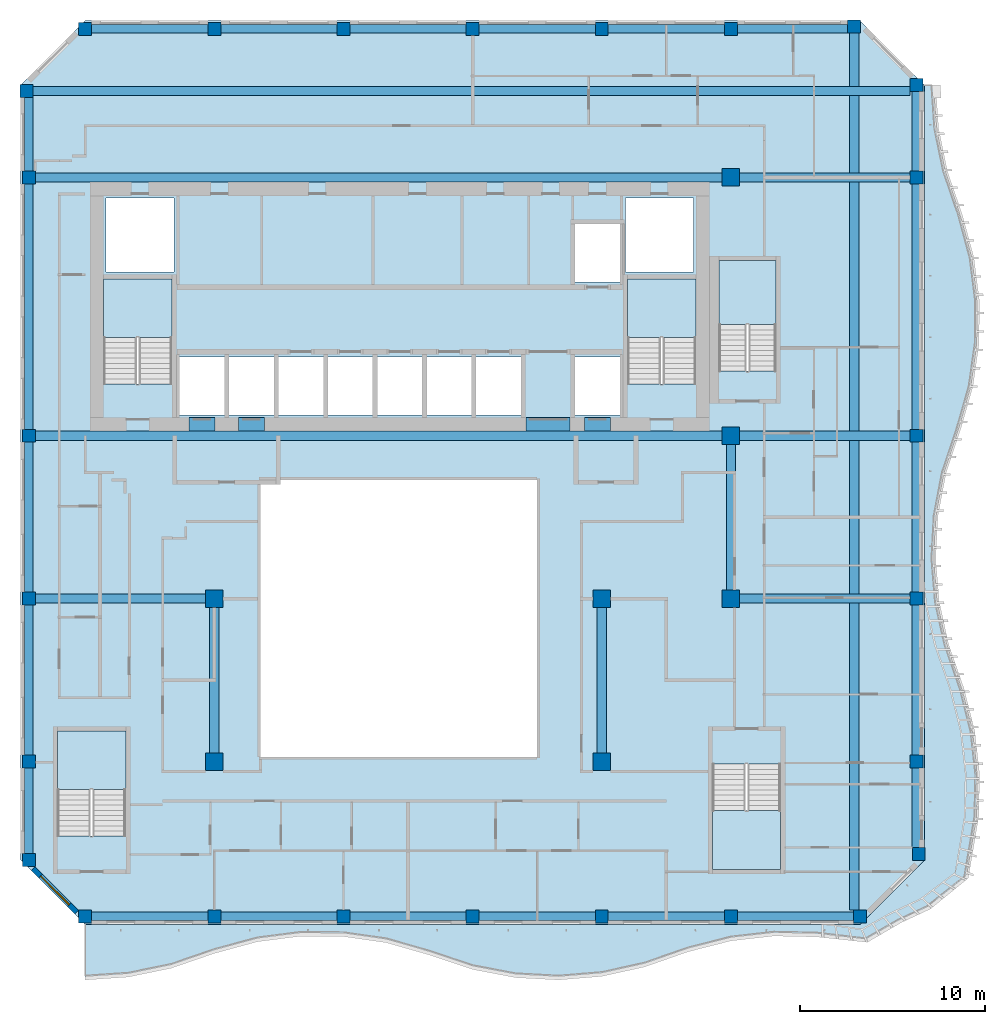
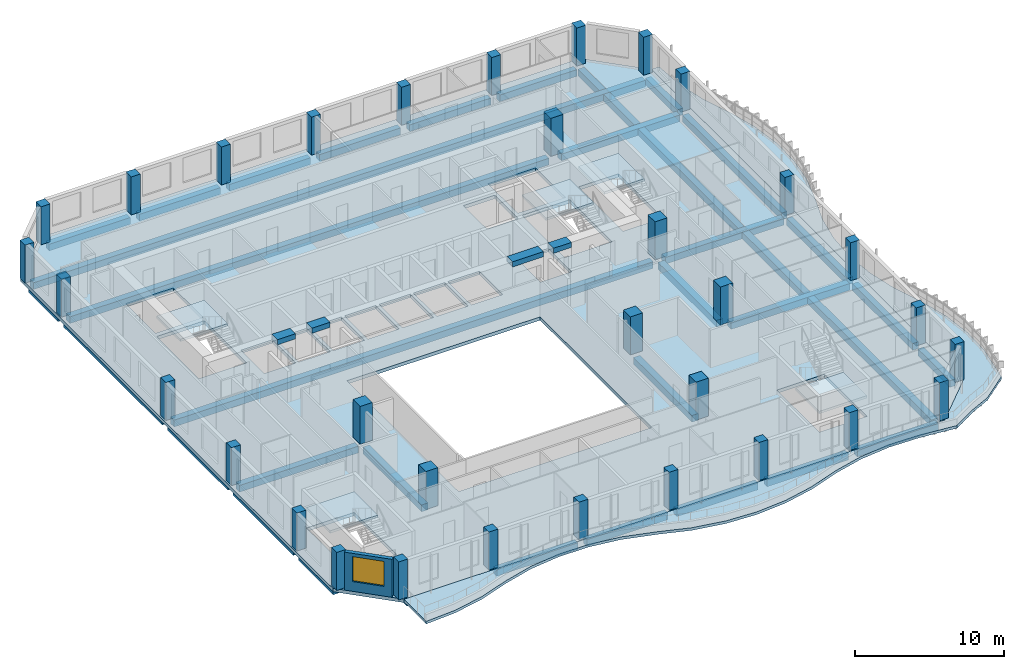
# One storey, part 1 of 19: 37 beams, 33 columns, 7 slabs, 1 wall, 1 window, 1 opening, 5 elements without a shape of their own.
"""IFC4 building model written with IfcOpenShell, lengths in metres."""

from ifc_helpers import new_model, si_unit, direction, frame, frame_2d, origin, origin_2d, place, context, subcontext, project, spatial, polyline, rectangle, outline, extrude, source, transform, mapped, material, layer, layer_set, material_profile, profile_set, type_object, element, fill, aggregate, save


model = new_model("IFC4")

# Units and contexts
model_context = context("Model", 3, precision=1e-05, world=origin(), true_north=direction((0.0, 1.0)))
body_context = subcontext(model_context, "Body", "Model", "MODEL_VIEW")
ifc_project = project(units=[si_unit("LENGTHUNIT", "METRE"), si_unit("AREAUNIT", "SQUARE_METRE"), si_unit("VOLUMEUNIT", "CUBIC_METRE"), si_unit("PLANEANGLEUNIT", "RADIAN"), si_unit("MASSUNIT", "GRAM", prefix="KILO")], contexts=[model_context])

# Site, building, storey
site_placement = place(None, origin())
site = spatial("IfcSite", under=ifc_project, at=site_placement, CompositionType="ELEMENT")
building_placement = place(site_placement, origin())
building = spatial("IfcBuilding", under=site, at=building_placement, Name="Kilnfold Tower and Market Hall", CompositionType="ELEMENT")
storey_placement = place(building_placement, frame((0.0, 0.0, 252.60009765625)))
storey = spatial("IfcBuildingStorey", under=building, at=storey_placement, Name="L61", CompositionType="ELEMENT", Elevation=252.60009765625)

# Columns
ifc_material_1 = material(Name="Concrete C60", Category="concrete")
ifc_material_profile_1 = material_profile(ifc_material_1, rectangle(XDim=0.699951171875, YDim=0.699951171875, at=origin_2d()), Name="RC 700x700")
ifc_profile_set_1 = profile_set([ifc_material_profile_1], Name="Concrete C60")
column_type_1 = type_object("IfcColumnType", Name="COLUMN 700X700 C60", PredefinedType="COLUMN", material=ifc_profile_set_1)
shared_shape_1 = source(origin(), body_context, "Body", "SweptSolid", [
    extrude(rectangle(XDim=0.699951171875, YDim=0.699951171875, at=origin_2d()), origin(), (0.0, 0.0, 1.0), 3.119873046875),
])
for number, where, z_axis, x_axis, name in (
    (1, (-19.181884765625, 26.681884765625, 0.0), (0.0, 0.0, 1.0), (1.0, 0.0, 0.0), "Column C-B7-1G"),
    (2, (-19.050048828125, -15.0, 0.0), (0.0, 0.0, 1.0), (1.0, 0.0, 0.0), "Column C-B7-1B"),
    (3, (-19.050048828125, -9.666748046875, 0.0), (0.0, 0.0, 1.0), (1.0, 0.0, 0.0), "Column C-B7-1C"),
    (4, (-19.050048828125, -0.833251953125, 0.0), (0.0, 0.0, 1.0), (1.0, 0.0, 0.0), "Column C-B7-1D"),
    (5, (-19.050048828125, 8.0, 0.0), (0.0, 0.0, 1.0), (1.0, 0.0, 0.0), "Column C-B7-1E"),
    (6, (-19.050048828125, 22.0, 0.0), (0.0, 0.0, 1.0), (1.0, 0.0, 0.0), "Column C-B7-1F"),
    (7, (-16.0, -18.050048828125, 0.0), (0.0, 0.0, 1.0), (1.0, 0.0, 0.0), "Column C-B7-2A"),
    (8, (-16.0, 30.050048828125, 0.0), (0.0, 0.0, 1.0), (1.0, 0.0, 0.0), "Column C-B7-2H"),
    (9, (-9.0, -18.050048828125, 0.0), (0.0, 0.0, 1.0), (1.0, 0.0, 0.0), "Column C-B7-3A"),
    (10, (-9.0, 30.050048828125, 0.0), (0.0, 0.0, 1.0), (1.0, 0.0, 0.0), "Column C-B7-3H"),
    (11, (-2.0, -18.050048828125, 0.0), (0.0, 0.0, 1.0), (1.0, 0.0, 0.0), "Column C-B7-4A"),
    (12, (-2.0, 30.050048828125, 0.0), (0.0, 0.0, 1.0), (1.0, 0.0, 0.0), "Column C-B7-4H"),
    (13, (5.0, -18.050048828125, 0.0), (0.0, 0.0, 1.0), (1.0, 0.0, 0.0), "Column C-B7-5A"),
    (14, (5.0, 30.050048828125, 0.0), (0.0, 0.0, 1.0), (1.0, 0.0, 0.0), "Column C-B7-5H"),
    (15, (12.0, -18.050048828125, 0.0), (0.0, 0.0, 1.0), (1.0, 0.0, 0.0), "Column C-B7-6A"),
    (16, (12.0, 30.050048828125, 0.0), (0.0, 0.0, 1.0), (1.0, 0.0, 0.0), "Column C-B7-6H"),
    (17, (19.0, -18.050048828125, 0.0), (0.0, 0.0, 1.0), (1.0, 0.0, 0.0), "Column C-B7-7A"),
    (18, (19.0, 30.050048828125, 0.0), (0.0, 0.0, 1.0), (1.0, 0.0, 0.0), "Column C-B7-7H"),
    (19, (25.681884765625, 30.181884765625, 0.0), (0.0, 0.0, 1.0), (1.0, 0.0, 0.0), "Column C-B7-8H"),
    (20, (26.0, -18.050048828125, 0.0), (0.0, 0.0, 1.0), (1.0, 0.0, 0.0), "Column C-B7-8A"),
    (21, (29.050048828125, -9.666748046875, 0.0), (0.0, 0.0, 1.0), (1.0, 0.0, 0.0), "Column C-B7-9C"),
    (22, (29.050048828125, -0.833251953125, 0.0), (0.0, 0.0, 1.0), (1.0, 0.0, 0.0), "Column C-B7-9D"),
    (23, (29.050048828125, 8.0, 0.0), (0.0, 0.0, 1.0), (1.0, 0.0, 0.0), "Column C-B7-9E"),
    (24, (29.050048828125, 22.0, 0.0), (0.0, 0.0, 1.0), (1.0, 0.0, 0.0), "Column C-B7-9F"),
    (25, (29.050048828125, 27.0, 0.0), (0.0, 0.0, 1.0), (1.0, 0.0, 0.0), "Column C-B7-9G"),
    (26, (29.181884765625, -14.681884765625, 0.0), (0.0, 0.0, 1.0), (1.0, 0.0, 0.0), "Column C-B7-9B"),
):
    element("IfcColumn", number, at=place(storey_placement, frame(where, z_axis=z_axis, x_axis=x_axis)), inside=storey, type_object=column_type_1, Name=name, PredefinedType="COLUMN", context=body_context, shape_type="MappedRepresentation", body=[
        mapped(shared_shape_1, transform((0.0, 0.0, 0.0))),
    ])
ifc_material_2 = material(Name="Concrete C60", Category="concrete")
ifc_material_profile_2 = material_profile(ifc_material_2, rectangle(XDim=0.949951171875, YDim=0.949951171875, at=origin_2d()), Name="RC 950x950")
ifc_profile_set_2 = profile_set([ifc_material_profile_2], Name="Concrete C60")
column_type_2 = type_object("IfcColumnType", Name="COLUMN 950X950 C60", PredefinedType="COLUMN", material=ifc_profile_set_2)
shared_shape_2 = source(origin(), body_context, "Body", "SweptSolid", [
    extrude(rectangle(XDim=0.949951171875, YDim=0.949951171875, at=origin_2d()), origin(), (0.0, 0.0, 1.0), 3.119873046875),
])
for number, where, z_axis, x_axis, name in (
    (27, (-9.0, -9.666748046875, 0.0), (0.0, 0.0, 1.0), (1.0, 0.0, 0.0), "Column C-B7-3C"),
    (28, (-9.0, -0.833251953125, 0.0), (0.0, 0.0, 1.0), (1.0, 0.0, 0.0), "Column C-B7-3D"),
    (29, (12.0, -9.666748046875, 0.0), (0.0, 0.0, 1.0), (1.0, 0.0, 0.0), "Column C-B7-6C"),
    (30, (12.0, -0.833251953125, 0.0), (0.0, 0.0, 1.0), (1.0, 0.0, 0.0), "Column C-B7-6D"),
    (31, (19.0, -0.833251953125, 0.0), (0.0, 0.0, 1.0), (1.0, 0.0, 0.0), "Column C-B7-7D"),
    (32, (19.0, 8.0, 0.0), (0.0, 0.0, 1.0), (1.0, 0.0, 0.0), "Column C-B7-7E"),
    (33, (19.0, 22.0, 0.0), (0.0, 0.0, 1.0), (1.0, 0.0, 0.0), "Column C-B7-7F"),
):
    element("IfcColumn", number, at=place(storey_placement, frame(where, z_axis=z_axis, x_axis=x_axis)), inside=storey, type_object=column_type_2, Name=name, PredefinedType="COLUMN", context=body_context, shape_type="MappedRepresentation", body=[
        mapped(shared_shape_2, transform((0.0, 0.0, 0.0))),
    ])

# Beams
ifc_material_3 = material(Name="Concrete C60", Category="concrete")
ifc_material_profile_3 = material_profile(ifc_material_3, rectangle(XDim=0.75, YDim=0.419921875, at=origin_2d()), Name="RC 750x420")
ifc_profile_set_3 = profile_set([ifc_material_profile_3], Name="Concrete C60")
beam_type_1 = type_object("IfcBeamType", Name="COUPLING BEAM 750X420 C60", PredefinedType="BEAM", material=ifc_profile_set_3)
shared_shape_3 = source(origin(), body_context, "Body", "SweptSolid", [
    extrude(rectangle(XDim=0.75, YDim=0.419921875, at=origin_2d()), origin(), (0.0, 0.0, 1.0), 1.400146484375),
])
beam_1_placement = place(storey_placement, frame((-10.3701171875, 8.625, 2.909912109375), z_axis=(1.0, 0.0, 0.0), x_axis=(0.0, 1.0, 0.0)))
element("IfcBeam", 34, at=beam_1_placement, inside=storey, type_object=beam_type_1, Name="Coupling beam CB420-60-CORE.34", PredefinedType="BEAM", context=body_context, shape_type="MappedRepresentation", body=[
    mapped(shared_shape_3, transform((0.0, 0.0, 0.0))),
])
shared_shape_4 = source(origin(), body_context, "Body", "SweptSolid", [
    extrude(rectangle(XDim=0.75, YDim=0.419921875, at=origin_2d()), origin(), (0.0, 0.0, 1.0), 1.39990234375),
])
for number, where, z_axis, x_axis, name in (
    (35, (-7.68994140625, 8.625, 2.909912109375), (1.0, 0.0, 0.0), (0.0, 1.0, 0.0), "Coupling beam CB420-60-CORE.35"),
    (36, (11.070068359375, 8.625, 2.909912109375), (1.0, 0.0, 0.0), (0.0, 1.0, 0.0), "Coupling beam CB420-60-CORE.37"),
):
    element("IfcBeam", number, at=place(storey_placement, frame(where, z_axis=z_axis, x_axis=x_axis)), inside=storey, type_object=beam_type_1, Name=name, PredefinedType="BEAM", context=body_context, shape_type="MappedRepresentation", body=[
        mapped(shared_shape_4, transform((0.0, 0.0, 0.0))),
    ])
shared_shape_5 = source(origin(), body_context, "Body", "SweptSolid", [
    extrude(rectangle(XDim=0.75, YDim=0.419921875, at=origin_2d()), origin(), (0.0, 0.0, 1.0), 2.400146484375),
])
beam_2_placement = place(storey_placement, frame((7.889892578125, 8.625, 2.909912109375), z_axis=(1.0, 0.0, 0.0), x_axis=(0.0, 1.0, 0.0)))
element("IfcBeam", 37, at=beam_2_placement, inside=storey, type_object=beam_type_1, Name="Coupling beam CB420-60-CORE.36", PredefinedType="BEAM", context=body_context, shape_type="MappedRepresentation", body=[
    mapped(shared_shape_5, transform((0.0, 0.0, 0.0))),
])
ifc_material_4 = material(Name="Concrete C45", Category="concrete")
ifc_material_profile_4 = material_profile(ifc_material_4, rectangle(XDim=0.449951171875, YDim=0.550048828125, at=origin_2d()), Name="RC 450x550")
ifc_profile_set_4 = profile_set([ifc_material_profile_4], Name="Concrete C45")
beam_type_2 = type_object("IfcBeamType", Name="EDGE BEAM 450X550 C45", PredefinedType="BEAM", material=ifc_profile_set_4)
shared_shape_6 = source(origin(), body_context, "Body", "SweptSolid", [
    extrude(rectangle(XDim=0.449951171875, YDim=0.550048828125, at=origin_2d()), origin(), (0.0, 0.0, 1.0), 13.2998046875),
])
for number, where, z_axis, x_axis, name in (
    (38, (-19.050048828125, 8.35009765625, -0.55517578125), (0.0, 1.0, 0.0), (-1.0, 0.0, 0.0), "Beam EB550-B7.50"),
    (39, (29.050048828125, 8.35009765625, -0.55517578125), (0.0, 1.0, 0.0), (-1.0, 0.0, 0.0), "Beam EB550-B7.58"),
):
    element("IfcBeam", number, at=place(storey_placement, frame(where, z_axis=z_axis, x_axis=x_axis)), inside=storey, type_object=beam_type_2, Name=name, PredefinedType="BEAM", context=body_context, shape_type="MappedRepresentation", body=[
        mapped(shared_shape_6, transform((0.0, 0.0, 0.0))),
    ])
shared_shape_7 = source(origin(), body_context, "Body", "SweptSolid", [
    extrude(rectangle(XDim=0.449951171875, YDim=0.550048828125, at=origin_2d()), origin(), (0.0, 0.0, 1.0), 6.2998046875),
])
for number, where, z_axis, x_axis, name in (
    (40, (-15.64990234375, -18.050048828125, -0.55517578125), (1.0, 0.0, 0.0), (0.0, 1.0, 0.0), "Beam EB550-B7.59"),
    (41, (-8.64990234375, -18.050048828125, -0.55517578125), (1.0, 0.0, 0.0), (0.0, 1.0, 0.0), "Beam EB550-B7.60"),
    (42, (-1.64990234375, -18.050048828125, -0.55517578125), (1.0, 0.0, 0.0), (0.0, 1.0, 0.0), "Beam EB550-B7.61"),
    (43, (5.35009765625, -18.050048828125, -0.55517578125), (1.0, 0.0, 0.0), (0.0, 1.0, 0.0), "Beam EB550-B7.62"),
    (44, (12.35009765625, -18.050048828125, -0.55517578125), (1.0, 0.0, 0.0), (0.0, 1.0, 0.0), "Beam EB550-B7.63"),
    (45, (19.35009765625, -18.050048828125, -0.55517578125), (1.0, 0.0, 0.0), (0.0, 1.0, 0.0), "Beam EB550-B7.64"),
    (46, (-15.64990234375, 30.050048828125, -0.55517578125), (1.0, 0.0, 0.0), (0.0, 1.0, 0.0), "Beam EB550-B7.72"),
    (47, (-8.64990234375, 30.050048828125, -0.55517578125), (1.0, 0.0, 0.0), (0.0, 1.0, 0.0), "Beam EB550-B7.73"),
    (48, (-1.64990234375, 30.050048828125, -0.55517578125), (1.0, 0.0, 0.0), (0.0, 1.0, 0.0), "Beam EB550-B7.74"),
    (49, (5.35009765625, 30.050048828125, -0.55517578125), (1.0, 0.0, 0.0), (0.0, 1.0, 0.0), "Beam EB550-B7.75"),
    (50, (12.35009765625, 30.050048828125, -0.55517578125), (1.0, 0.0, 0.0), (0.0, 1.0, 0.0), "Beam EB550-B7.76"),
):
    element("IfcBeam", number, at=place(storey_placement, frame(where, z_axis=z_axis, x_axis=x_axis)), inside=storey, type_object=beam_type_2, Name=name, PredefinedType="BEAM", context=body_context, shape_type="MappedRepresentation", body=[
        mapped(shared_shape_7, transform((0.0, 0.0, 0.0))),
    ])
ifc_material_5 = material(Name="Concrete C45", Category="concrete")
ifc_material_profile_5 = material_profile(ifc_material_5, rectangle(XDim=0.5, YDim=0.550048828125, at=origin_2d()), Name="RC 500x550")
ifc_profile_set_5 = profile_set([ifc_material_profile_5], Name="Concrete C45")
beam_type_3 = type_object("IfcBeamType", Name="BEAM 500X550 C45", PredefinedType="BEAM", material=ifc_profile_set_5)
shared_shape_8 = source(origin(), body_context, "Body", "SweptSolid", [
    extrude(rectangle(XDim=0.5, YDim=0.550048828125, at=origin_2d()), origin(), (0.0, 0.0, 1.0), 9.224853515625),
])
for number, where, z_axis, x_axis, name in (
    (51, (-18.699951171875, -0.830078125, -0.55517578125), (1.0, 0.0, 0.0), (0.0, 1.0, 0.0), "Beam BB550-B7.65"),
    (52, (19.47509765625, -0.830078125, -0.55517578125), (1.0, 0.0, 0.0), (0.0, 1.0, 0.0), "Beam BB550-B7.66"),
    (53, (19.47509765625, 8.0, -0.55517578125), (1.0, 0.0, 0.0), (0.0, 1.0, 0.0), "Beam BB550-B7.68"),
    (54, (19.47509765625, 22.0, -0.55517578125), (1.0, 0.0, 0.0), (0.0, 1.0, 0.0), "Beam BB550-B7.70"),
):
    element("IfcBeam", number, at=place(storey_placement, frame(where, z_axis=z_axis, x_axis=x_axis)), inside=storey, type_object=beam_type_3, Name=name, PredefinedType="BEAM", context=body_context, shape_type="MappedRepresentation", body=[
        mapped(shared_shape_8, transform((0.0, 0.0, 0.0))),
    ])
shared_shape_9 = source(origin(), body_context, "Body", "SweptSolid", [
    extrude(rectangle(XDim=0.5, YDim=0.550048828125, at=origin_2d()), origin(), (0.0, 0.0, 1.0), 37.224853515625),
])
for number, where, z_axis, x_axis, name in (
    (55, (-18.699951171875, 8.0, -0.55517578125), (1.0, 0.0, 0.0), (0.0, 1.0, 0.0), "Beam BB550-B7.67"),
    (56, (-18.699951171875, 22.0, -0.55517578125), (1.0, 0.0, 0.0), (0.0, 1.0, 0.0), "Beam BB550-B7.69"),
):
    element("IfcBeam", number, at=place(storey_placement, frame(where, z_axis=z_axis, x_axis=x_axis)), inside=storey, type_object=beam_type_3, Name=name, PredefinedType="BEAM", context=body_context, shape_type="MappedRepresentation", body=[
        mapped(shared_shape_9, transform((0.0, 0.0, 0.0))),
    ])
shared_shape_10 = source(origin(), body_context, "Body", "SweptSolid", [
    extrude(rectangle(XDim=0.5, YDim=0.550048828125, at=origin_2d()), origin(), (0.0, 0.0, 1.0), 47.53173828125),
])
for number, where, z_axis, x_axis, name in (
    (57, (-18.831787109375, 26.679931640625, -0.55517578125), (1.0, 0.0, 0.0), (0.0, 1.0, 0.0), "Beam BB550-B7.71"),
    (58, (25.679931640625, -17.699951171875, -0.55517578125), (0.0, 1.0, 0.0), (-1.0, 0.0, 0.0), "Beam BB550-B7.85"),
):
    element("IfcBeam", number, at=place(storey_placement, frame(where, z_axis=z_axis, x_axis=x_axis)), inside=storey, type_object=beam_type_3, Name=name, PredefinedType="BEAM", context=body_context, shape_type="MappedRepresentation", body=[
        mapped(shared_shape_10, transform((0.0, 0.0, 0.0))),
    ])
shared_shape_11 = source(origin(), body_context, "Body", "SweptSolid", [
    extrude(rectangle(XDim=0.449951171875, YDim=0.550048828125, at=origin_2d()), origin(), (0.0, 0.0, 1.0), 5.981689453125),
])
beam_3_placement = place(storey_placement, frame((19.35009765625, 30.050048828125, -0.55517578125), z_axis=(1.0, 0.0, 0.0), x_axis=(0.0, 1.0, 0.0)))
element("IfcBeam", 59, at=beam_3_placement, inside=storey, type_object=beam_type_2, Name="Beam EB550-B7.77", PredefinedType="BEAM", context=body_context, shape_type="MappedRepresentation", body=[
    mapped(shared_shape_11, transform((0.0, 0.0, 0.0))),
])
shared_shape_12 = source(origin(), body_context, "Body", "SweptSolid", [
    extrude(rectangle(XDim=0.449951171875, YDim=0.550048828125, at=origin_2d()), origin(), (0.0, 0.0, 1.0), 4.63330078125),
])
beam_4_placement = place(storey_placement, frame((-19.050048828125, -14.64990234375, -0.55517578125), z_axis=(0.0, 1.0, 0.0), x_axis=(-1.0, 0.0, 0.0)))
element("IfcBeam", 60, at=beam_4_placement, inside=storey, type_object=beam_type_2, Name="Beam EB550-B7.78", PredefinedType="BEAM", context=body_context, shape_type="MappedRepresentation", body=[
    mapped(shared_shape_12, transform((0.0, 0.0, 0.0))),
])
shared_shape_13 = source(origin(), body_context, "Body", "SweptSolid", [
    extrude(rectangle(XDim=0.449951171875, YDim=0.550048828125, at=origin_2d()), origin(), (0.0, 0.0, 1.0), 8.13330078125),
])
for number, where, z_axis, x_axis, name in (
    (61, (-19.050048828125, -9.316650390625, -0.55517578125), (0.0, 1.0, 0.0), (-1.0, 0.0, 0.0), "Beam EB550-B7.79"),
    (62, (-19.050048828125, -0.4833984375, -0.55517578125), (0.0, 1.0, 0.0), (-1.0, 0.0, 0.0), "Beam EB550-B7.80"),
    (63, (29.050048828125, -9.316650390625, -0.55517578125), (0.0, 1.0, 0.0), (-1.0, 0.0, 0.0), "Beam EB550-B7.87"),
    (64, (29.050048828125, -0.4833984375, -0.55517578125), (0.0, 1.0, 0.0), (-1.0, 0.0, 0.0), "Beam EB550-B7.88"),
):
    element("IfcBeam", number, at=place(storey_placement, frame(where, z_axis=z_axis, x_axis=x_axis)), inside=storey, type_object=beam_type_2, Name=name, PredefinedType="BEAM", context=body_context, shape_type="MappedRepresentation", body=[
        mapped(shared_shape_13, transform((0.0, 0.0, 0.0))),
    ])
shared_shape_14 = source(origin(), body_context, "Body", "SweptSolid", [
    extrude(rectangle(XDim=0.449951171875, YDim=0.550048828125, at=origin_2d()), origin(), (0.0, 0.0, 1.0), 3.981689453125),
])
beam_5_placement = place(storey_placement, frame((-19.050048828125, 22.35009765625, -0.55517578125), z_axis=(0.0, 1.0, 0.0), x_axis=(-1.0, 0.0, 0.0)))
element("IfcBeam", 65, at=beam_5_placement, inside=storey, type_object=beam_type_2, Name="Beam EB550-B7.81", PredefinedType="BEAM", context=body_context, shape_type="MappedRepresentation", body=[
    mapped(shared_shape_14, transform((0.0, 0.0, 0.0))),
])
shared_shape_15 = source(origin(), body_context, "Body", "SweptSolid", [
    extrude(rectangle(XDim=0.5, YDim=0.550048828125, at=origin_2d()), origin(), (0.0, 0.0, 1.0), 7.88330078125),
])
for number, where, z_axis, x_axis, name in (
    (66, (-9.0, -9.191650390625, -0.55517578125), (0.0, 1.0, 0.0), (-1.0, 0.0, 0.0), "Beam BB550-B7.82"),
    (67, (12.0, -9.191650390625, -0.55517578125), (0.0, 1.0, 0.0), (-1.0, 0.0, 0.0), "Beam BB550-B7.83"),
    (68, (19.0, -0.3583984375, -0.55517578125), (0.0, 1.0, 0.0), (-1.0, 0.0, 0.0), "Beam BB550-B7.84"),
):
    element("IfcBeam", number, at=place(storey_placement, frame(where, z_axis=z_axis, x_axis=x_axis)), inside=storey, type_object=beam_type_3, Name=name, PredefinedType="BEAM", context=body_context, shape_type="MappedRepresentation", body=[
        mapped(shared_shape_15, transform((0.0, 0.0, 0.0))),
    ])
shared_shape_16 = source(origin(), body_context, "Body", "SweptSolid", [
    extrude(rectangle(XDim=0.449951171875, YDim=0.550048828125, at=origin_2d()), origin(), (0.0, 0.0, 1.0), 4.315185546875),
])
beam_6_placement = place(storey_placement, frame((29.050048828125, -14.331787109375, -0.55517578125), z_axis=(0.0, 1.0, 0.0), x_axis=(-1.0, 0.0, 0.0)))
element("IfcBeam", 69, at=beam_6_placement, inside=storey, type_object=beam_type_2, Name="Beam EB550-B7.86", PredefinedType="BEAM", context=body_context, shape_type="MappedRepresentation", body=[
    mapped(shared_shape_16, transform((0.0, 0.0, 0.0))),
])
shared_shape_17 = source(origin(), body_context, "Body", "SweptSolid", [
    extrude(rectangle(XDim=0.449951171875, YDim=0.550048828125, at=origin_2d()), origin(), (0.0, 0.0, 1.0), 4.2998046875),
])
beam_7_placement = place(storey_placement, frame((29.050048828125, 22.35009765625, -0.55517578125), z_axis=(0.0, 1.0, 0.0), x_axis=(-1.0, 0.0, 0.0)))
element("IfcBeam", 70, at=beam_7_placement, inside=storey, type_object=beam_type_2, Name="Beam EB550-B7.89", PredefinedType="BEAM", context=body_context, shape_type="MappedRepresentation", body=[
    mapped(shared_shape_17, transform((0.0, 0.0, 0.0))),
])

# Slabs
ifc_material_6 = material(Name="Concrete C45", Category="concrete")
ifc_layer_1 = layer(ifc_material_6, 0.280029296875)
ifc_layer_set_1 = layer_set([ifc_layer_1], Name="Concrete C45")
slab_type_1 = type_object("IfcSlabType", Name="FLOOR SLAB 280", PredefinedType="FLOOR", material=ifc_layer_set_1)
shared_shape_18 = source(origin(), body_context, "Body", "SweptSolid", [
    extrude(outline(polyline([(-16.0, -18.5), (26.0, -18.5), (29.5, -15.0), (29.5, 27.0), (26.0, 30.5), (-16.0, 30.5), (-19.5, 27.0), (-19.5, -15.0), (-16.0, -18.5)]), holes=[polyline([(-13.800537109375, -13.699462890625), (-17.49951171875, -13.699462890625), (-17.49951171875, -8.00048828125), (-13.800537109375, -8.00048828125), (-13.800537109375, -13.699462890625)]), polyline([(-11.300537109375, 10.800537109375), (-14.99951171875, 10.800537109375), (-14.99951171875, 16.49951171875), (-11.300537109375, 16.49951171875), (-11.300537109375, 10.800537109375)]), polyline([(-11.175048828125, 16.875), (-14.875, 16.875), (-14.875, 20.875), (-11.175048828125, 20.875), (-11.175048828125, 16.875)]), polyline([(-8.455078125, 9.125), (-10.885009765625, 9.125), (-10.885009765625, 12.27490234375), (-8.455078125, 12.27490234375), (-8.455078125, 9.125)]), polyline([(-5.77490234375, 9.125), (-8.205078125, 9.125), (-8.205078125, 12.27490234375), (-5.77490234375, 12.27490234375), (-5.77490234375, 9.125)]), polyline([(8.5, -9.39990234375), (-6.5, -9.39990234375), (-6.5, 5.60009765625), (8.5, 5.60009765625), (8.5, -9.39990234375)]), polyline([(-3.094970703125, 9.125), (-5.52490234375, 9.125), (-5.52490234375, 12.27490234375), (-3.094970703125, 12.27490234375), (-3.094970703125, 9.125)]), polyline([(-0.4150390625, 9.125), (-2.844970703125, 9.125), (-2.844970703125, 12.27490234375), (-0.4150390625, 12.27490234375), (-0.4150390625, 9.125)]), polyline([(2.264892578125, 9.125), (-0.1650390625, 9.125), (-0.1650390625, 12.27490234375), (2.264892578125, 12.27490234375), (2.264892578125, 9.125)]), polyline([(4.945068359375, 9.125), (2.514892578125, 9.125), (2.514892578125, 12.27490234375), (4.945068359375, 12.27490234375), (4.945068359375, 9.125)]), polyline([(7.625, 9.125), (5.195068359375, 9.125), (5.195068359375, 12.27490234375), (7.625, 12.27490234375), (7.625, 9.125)]), polyline([(12.985107421875, 9.125), (10.554931640625, 9.125), (10.554931640625, 12.27490234375), (12.985107421875, 12.27490234375), (12.985107421875, 9.125)]), polyline([(10.554931640625, 16.324951171875), (10.554931640625, 19.47509765625), (12.985107421875, 19.47509765625), (12.985107421875, 16.324951171875), (10.554931640625, 16.324951171875)]), polyline([(13.27490234375, 16.875), (13.27490234375, 20.875), (16.97509765625, 20.875), (16.97509765625, 16.875), (13.27490234375, 16.875)]), polyline([(17.099609375, 10.800537109375), (13.400390625, 10.800537109375), (13.400390625, 16.49951171875), (17.099609375, 16.49951171875), (17.099609375, 10.800537109375)]), polyline([(18.00048828125, -9.800537109375), (21.699462890625, -9.800537109375), (21.699462890625, -15.49951171875), (18.00048828125, -15.49951171875), (18.00048828125, -9.800537109375)]), polyline([(21.449462890625, 11.50048828125), (18.3505859375, 11.50048828125), (18.3505859375, 17.49951171875), (21.449462890625, 17.49951171875), (21.449462890625, 11.50048828125)])]), origin(), (0.0, 0.0, 1.0), 0.280029296875),
])
slab_1_placement = place(storey_placement, frame((0.0, 0.0, -0.280029296875)))
element("IfcSlab", 71, at=slab_1_placement, inside=storey, type_object=slab_type_1, Name="Floor slab L61", PredefinedType="FLOOR", context=body_context, shape_type="MappedRepresentation", body=[
    mapped(shared_shape_18, transform((0.0, 0.0, 0.0))),
])
ifc_material_7 = material(Name="Concrete C40/50", Category="concrete")
ifc_layer_2 = layer(ifc_material_7, 0.219970703125)
ifc_layer_set_2 = layer_set([ifc_layer_2], Name="Concrete C40/50")
slab_type_2 = type_object("IfcSlabType", Name="BALCONY SLAB 220", PredefinedType="FLOOR", material=ifc_layer_set_2)
shared_shape_19 = source(origin(), body_context, "Body", "SweptSolid", [
    extrude(outline(polyline([(-16.0, -18.5), (26.0, -18.5), (29.5, -15.0), (29.5, 27.0), (30.10009765625, 27.0), (30.257080078125, 24.666748046875), (30.73681640625, 22.333251953125), (31.53857421875, 20.0), (32.170166015625, 17.666748046875), (32.468994140625, 15.333251953125), (32.451904296875, 13.0), (32.118408203125, 10.666748046875), (31.448974609375, 8.333251953125), (30.668701171875, 6.0), (30.224609375, 3.666748046875), (30.101806640625, 1.333251953125), (30.29296875, -1.0), (30.80908203125, -3.333251953125), (31.6240234375, -5.666748046875), (32.218017578125, -8.0), (32.482177734375, -10.333251953125), (32.431396484375, -12.666748046875), (31.86767578125, -15.980712890625), (29.81787109375, -17.651123046875), (28.227783203125, -18.394287109375), (26.39697265625, -19.458251953125), (23.666748046875, -19.168701171875), (21.333251953125, -19.117919921875), (19.0, -19.3818359375), (16.666748046875, -19.97607421875), (14.333251953125, -20.791015625), (12.0, -21.306884765625), (9.666748046875, -21.498291015625), (7.333251953125, -21.375244140625), (5.0, -20.931396484375), (2.666748046875, -20.151123046875), (0.333251953125, -19.481689453125), (-2.0, -19.14794921875), (-4.333251953125, -19.131103515625), (-6.666748046875, -19.4296875), (-9.0, -20.061279296875), (-11.333251953125, -20.86328125), (-13.666748046875, -21.343017578125), (-16.0, -21.5), (-16.0, -18.5)])), origin(), (0.0, 0.0, 1.0), 0.22021484375),
])
slab_2_placement = place(storey_placement, frame((0.0, 0.0, -0.22021484375)))
element("IfcSlab", 72, at=slab_2_placement, inside=storey, type_object=slab_type_2, Name="Balcony slab L61", PredefinedType="FLOOR", context=body_context, shape_type="MappedRepresentation", body=[
    mapped(shared_shape_19, transform((0.0, 0.0, 0.0))),
])

# Stair, slab
ifc_material_8 = material(Name="Concrete C40/50", Category="concrete")
stair_type_1 = type_object("IfcStairType", Name="CORE STAIR 1800", PredefinedType="HALF_TURN_STAIR", material=ifc_material_8)
stair_1_placement = place(storey_placement, origin())
stair_1 = element("IfcStair", 73, at=stair_1_placement, inside=storey, type_object=stair_type_1, Name="L61 ST1", PredefinedType="HALF_TURN_STAIR")
ifc_material_9 = material(Name="Concrete C40/50", Category="concrete")
ifc_layer_3 = layer(ifc_material_9, 0.199951171875)
ifc_layer_set_3 = layer_set([ifc_layer_3], Name="Concrete C40/50")
slab_type_3 = type_object("IfcSlabType", Name="CORE STAIR LANDING 200", PredefinedType="LANDING", material=ifc_layer_set_3)
shared_shape_20 = source(origin(), body_context, "Body", "SweptSolid", [
    extrude(outline(polyline([(-11.300048828125, 13.320068359375), (-11.300048828125, 16.5), (-15.0, 16.5), (-15.0, 13.320068359375), (-11.300048828125, 13.320068359375)])), origin(), (0.0, 0.0, 1.0), 0.199951171875),
])
slab_3_placement = place(storey_placement, frame((0.0, 0.0, 1.5)))
slab_3 = element("IfcSlab", 74, at=slab_3_placement, type_object=slab_type_3, Name="ST1 landing 1", PredefinedType="LANDING", context=body_context, shape_type="MappedRepresentation", body=[
    mapped(shared_shape_20, transform((0.0, 0.0, 0.0))),
])
aggregate(stair_1, [slab_3])

stair_2_placement = place(storey_placement, origin())
stair_2 = element("IfcStair", 75, at=stair_2_placement, inside=storey, type_object=stair_type_1, Name="L61 ST2", PredefinedType="HALF_TURN_STAIR")
shared_shape_21 = source(origin(), body_context, "Body", "SweptSolid", [
    extrude(outline(polyline([(17.10009765625, 13.320068359375), (17.10009765625, 16.5), (13.39990234375, 16.5), (13.39990234375, 13.320068359375), (17.10009765625, 13.320068359375)])), origin(), (0.0, 0.0, 1.0), 0.199951171875),
])
slab_4_placement = place(storey_placement, frame((0.0, 0.0, 1.5)))
slab_4 = element("IfcSlab", 76, at=slab_4_placement, type_object=slab_type_3, Name="ST2 landing 1", PredefinedType="LANDING", context=body_context, shape_type="MappedRepresentation", body=[
    mapped(shared_shape_21, transform((0.0, 0.0, 0.0))),
])
aggregate(stair_2, [slab_4])

stair_3_placement = place(storey_placement, origin())
stair_3 = element("IfcStair", 77, at=stair_3_placement, inside=storey, type_object=stair_type_1, Name="L61 ST3", PredefinedType="HALF_TURN_STAIR")
shared_shape_22 = source(origin(), body_context, "Body", "SweptSolid", [
    extrude(outline(polyline([(-13.800048828125, -11.179931640625), (-13.800048828125, -8.0), (-17.5, -8.0), (-17.5, -11.179931640625), (-13.800048828125, -11.179931640625)])), origin(), (0.0, 0.0, 1.0), 0.199951171875),
])
slab_5_placement = place(storey_placement, frame((0.0, 0.0, 1.5)))
slab_5 = element("IfcSlab", 78, at=slab_5_placement, type_object=slab_type_3, Name="ST3 landing 1", PredefinedType="LANDING", context=body_context, shape_type="MappedRepresentation", body=[
    mapped(shared_shape_22, transform((0.0, 0.0, 0.0))),
])
aggregate(stair_3, [slab_5])

stair_4_placement = place(storey_placement, origin())
stair_4 = element("IfcStair", 79, at=stair_4_placement, inside=storey, type_object=stair_type_1, Name="L61 ST4", PredefinedType="HALF_TURN_STAIR")
shared_shape_23 = source(origin(), body_context, "Body", "SweptSolid", [
    extrude(outline(polyline([(18.0, -12.320068359375), (18.0, -15.5), (21.699951171875, -15.5), (21.699951171875, -12.320068359375), (18.0, -12.320068359375)])), origin(), (0.0, 0.0, 1.0), 0.199951171875),
])
slab_6_placement = place(storey_placement, frame((0.0, 0.0, 1.5)))
slab_6 = element("IfcSlab", 80, at=slab_6_placement, type_object=slab_type_3, Name="ST4 landing 1", PredefinedType="LANDING", context=body_context, shape_type="MappedRepresentation", body=[
    mapped(shared_shape_23, transform((0.0, 0.0, 0.0))),
])
aggregate(stair_4, [slab_6])

ifc_material_10 = material(Name="Concrete C40/50", Category="concrete")
stair_type_2 = type_object("IfcStairType", Name="CORE STAIR 1500", PredefinedType="HALF_TURN_STAIR", material=ifc_material_10)
stair_5_placement = place(storey_placement, origin())
stair_5 = element("IfcStair", 81, at=stair_5_placement, inside=storey, type_object=stair_type_2, Name="L61 ST5", PredefinedType="HALF_TURN_STAIR")
shared_shape_24 = source(origin(), body_context, "Body", "SweptSolid", [
    extrude(outline(polyline([(21.449951171875, 14.02001953125), (21.449951171875, 17.5), (18.35009765625, 17.5), (18.35009765625, 14.02001953125), (21.449951171875, 14.02001953125)])), origin(), (0.0, 0.0, 1.0), 0.199951171875),
])
slab_7_placement = place(storey_placement, frame((0.0, 0.0, 1.5)))
slab_7 = element("IfcSlab", 82, at=slab_7_placement, type_object=slab_type_3, Name="ST5 landing 1", PredefinedType="LANDING", context=body_context, shape_type="MappedRepresentation", body=[
    mapped(shared_shape_24, transform((0.0, 0.0, 0.0))),
])
aggregate(stair_5, [slab_7])

# Wall, opening, window
ifc_material_11 = material(Name="Precast concrete C50/60", Category="concrete")
ifc_layer_4 = layer(ifc_material_11, 0.300048828125)
ifc_layer_set_4 = layer_set([ifc_layer_4], Name="Precast concrete C50/60")
wall_type = type_object("IfcWallType", Name="PRECAST WALL 300", PredefinedType="SOLIDWALL", material=ifc_layer_set_4)
shared_shape_25 = source(origin(), body_context, "Body", "SweptSolid", [
    extrude(rectangle(XDim=3.323486328125, YDim=0.300048828125, at=frame_2d((1.66162109375, 0.0))), origin(), (0.0, 0.0, 1.0), 3.119873046875),
])
wall_placement = place(storey_placement, frame((-18.81884765625, -15.468994140625, 0.0), z_axis=(0.0, 0.0, 1.0), x_axis=(0.707070049321, -0.707143511144, 0.0)))
wall = element("IfcWall", 83, at=wall_placement, inside=storey, type_object=wall_type, Name="External wall L61 SW", PredefinedType="SOLIDWALL", context=body_context, shape_type="MappedRepresentation", body=[
    mapped(shared_shape_25, transform((0.0, 0.0, 0.0))),
])
opening_placement = place(wall_placement, frame((0.561767578125, 0.0, 0.800048828125)))
opening = element("IfcOpeningElement", 84, at=opening_placement, cuts=wall, Name="Opening W3", PredefinedType="OPENING", context=body_context, shape_type="SweptSolid", body=[
    extrude(rectangle(XDim=2.199951171875, YDim=2.050048828125, at=frame_2d((1.10009765625, 1.02490234375))), frame((0.0, 0.16015625, 0.0), z_axis=(0.0, -1.0, 0.0), x_axis=(1.0, 0.0, 0.0)), (0.0, 0.0, 1.0), 0.320068359375),
])
ifc_material_12 = material(Name="Aluminium frame and double glazing", Category="aluminium")
window_type = type_object("IfcWindowType", Name="WINDOW W3 2200X2050", PartitioningType="SINGLE_PANEL", PredefinedType="WINDOW", material=ifc_material_12)
window_placement = place(opening_placement, origin())
window = element("IfcWindow", 85, at=window_placement, inside=storey, type_object=window_type, Name="Window W3 L61 SW-1", OverallHeight=2.050048828125, OverallWidth=2.199951171875, PartitioningType="SINGLE_PANEL", PredefinedType="WINDOW", context=body_context, shape_type="SweptSolid", body=[
    extrude(rectangle(XDim=2.199951171875, YDim=2.050048828125, at=frame_2d((1.10009765625, 1.02490234375))), frame((0.0, 0.030029296875, 0.0), z_axis=(0.0, -1.0, 0.0), x_axis=(1.0, 0.0, 0.0)), (0.0, 0.0, 1.0), 0.06005859375),
])
fill(opening, window)

save(model, "model.ifc")
